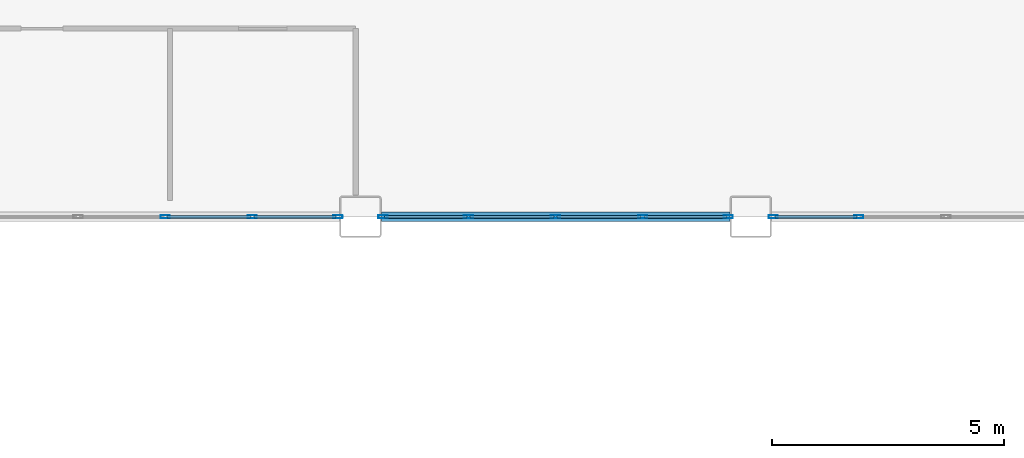
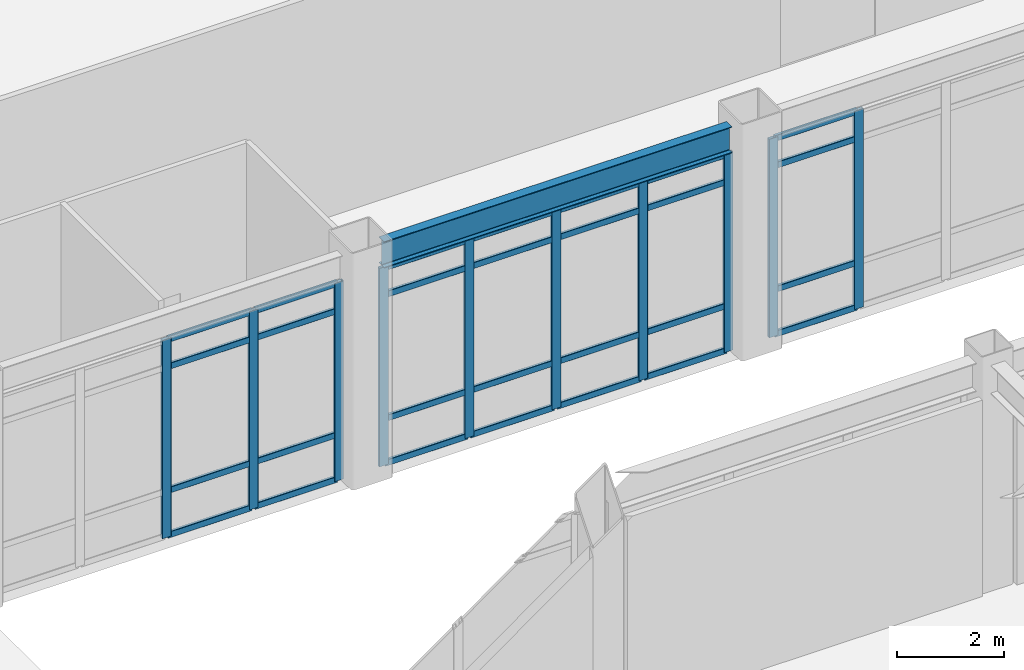
# One storey, part 31 of 165: 38 members, 1 beam, 3 elements without a shape of their own.
"""IFC4 building model written with IfcOpenShell, lengths in metres."""

from ifc_helpers import new_model, si_unit, direction, frame, origin, origin_2d, place, context, subcontext, project, spatial, hollow_rectangle, i_section, extrude, material, layer, layer_set, material_profile, profile_set, type_object, element, aggregate, save


model = new_model("IFC4")

# Units and contexts
model_context = context("Model", 3, precision=1e-05, world=origin(), true_north=direction((0.0, 1.0)))
body_context = subcontext(model_context, "Body", "Model", "MODEL_VIEW")
ifc_project = project(units=[si_unit("LENGTHUNIT", "METRE"), si_unit("AREAUNIT", "SQUARE_METRE"), si_unit("VOLUMEUNIT", "CUBIC_METRE"), si_unit("PLANEANGLEUNIT", "RADIAN"), si_unit("MASSUNIT", "GRAM", prefix="KILO")], contexts=[model_context])

# Site, building, storey
site_placement = place(None, origin())
site = spatial("IfcSite", under=ifc_project, at=site_placement, CompositionType="ELEMENT")
building_placement = place(site_placement, origin())
building = spatial("IfcBuilding", under=site, at=building_placement, Name="Kazehara Bluff Congress Hotel", CompositionType="ELEMENT")
storey_placement = place(building_placement, origin())
storey = spatial("IfcBuildingStorey", under=building, at=storey_placement, Name="L00", CompositionType="ELEMENT", Elevation=0.0)

# Curtain wall, members
ifc_material_1 = material(Name="Anodised aluminium", Category="aluminium")
ifc_layer = layer(ifc_material_1, 0.159912109375)
ifc_layer_set = layer_set([ifc_layer], Name="Anodised aluminium")
curtain_wall_type = type_object("IfcCurtainWallType", Name="TP-CW-16", PredefinedType="NOTDEFINED", material=ifc_layer_set)
curtain_wall_1_placement = place(storey_placement, origin())
curtain_wall_1 = element("IfcCurtainWall", 1, at=curtain_wall_1_placement, inside=storey, type_object=curtain_wall_type, Name="L00 curtain wall CW-16 CW-V1-L00-Y4845-2565", PredefinedType="NOTDEFINED")
ifc_material_2 = material(Name="Anodised aluminium", Category="aluminium")
ifc_material_profile_1 = material_profile(ifc_material_2, hollow_rectangle(XDim=0.070068359375, YDim=0.199951171875, WallThickness=0.0048828125, InnerFilletRadius=0.0048828125, OuterFilletRadius=0.010009765625, at=origin_2d()))
ifc_profile_set_1 = profile_set([ifc_material_profile_1], Name="Anodised aluminium")
member_type_1 = type_object("IfcMemberType", Name="TP-CWM-03", PredefinedType="MULLION", material=ifc_profile_set_1)
member_1_placement = place(storey_placement, frame((29.39990234375, 48.449951171875, 0.0), z_axis=(0.0, 0.0, 1.0), x_axis=(0.0, 1.0, 0.0)))
member_1 = element("IfcMember", 2, at=member_1_placement, type_object=member_type_1, Name="CW-16 mullion 3", PredefinedType="MULLION", context=body_context, shape_type="SweptSolid", body=[
    extrude(hollow_rectangle(XDim=0.070068359375, YDim=0.199951171875, WallThickness=0.0048828125, InnerFilletRadius=0.0048828125, OuterFilletRadius=0.010009765625, at=origin_2d()), origin(), (0.0, 0.0, 1.0), 4.52490234375),
])
member_2_placement = place(storey_placement, frame((31.27490234375, 48.449951171875, 0.0), z_axis=(0.0, 0.0, 1.0), x_axis=(0.0, 1.0, 0.0)))
member_2 = element("IfcMember", 3, at=member_2_placement, type_object=member_type_1, Name="CW-16 mullion 4", PredefinedType="MULLION", context=body_context, shape_type="SweptSolid", body=[
    extrude(hollow_rectangle(XDim=0.070068359375, YDim=0.199951171875, WallThickness=0.0048828125, InnerFilletRadius=0.0048828125, OuterFilletRadius=0.010009765625, at=origin_2d()), origin(), (0.0, 0.0, 1.0), 4.52490234375),
])
member_3_placement = place(storey_placement, frame((33.114990234375, 48.449951171875, 0.0), z_axis=(0.0, 0.0, 1.0), x_axis=(0.0, 1.0, 0.0)))
member_3 = element("IfcMember", 4, at=member_3_placement, type_object=member_type_1, Name="CW-16 mullion 5", PredefinedType="MULLION", context=body_context, shape_type="SweptSolid", body=[
    extrude(hollow_rectangle(XDim=0.070068359375, YDim=0.199951171875, WallThickness=0.0048828125, InnerFilletRadius=0.0048828125, OuterFilletRadius=0.010009765625, at=origin_2d()), origin(), (0.0, 0.0, 1.0), 4.52490234375),
])

curtain_wall_2_placement = place(storey_placement, origin())
curtain_wall_2 = element("IfcCurtainWall", 5, at=curtain_wall_2_placement, inside=storey, type_object=curtain_wall_type, Name="L00 curtain wall CW-16 CW-V1-L00-Y4845-3405", PredefinedType="NOTDEFINED")
member_4_placement = place(storey_placement, frame((34.0849609375, 48.449951171875, 0.0), z_axis=(0.0, 0.0, 1.0), x_axis=(0.0, 1.0, 0.0)))
member_4 = element("IfcMember", 6, at=member_4_placement, type_object=member_type_1, Name="CW-16 mullion 1", PredefinedType="MULLION", context=body_context, shape_type="SweptSolid", body=[
    extrude(hollow_rectangle(XDim=0.070068359375, YDim=0.199951171875, WallThickness=0.0048828125, InnerFilletRadius=0.0048828125, OuterFilletRadius=0.010009765625, at=origin_2d()), origin(), (0.0, 0.0, 1.0), 4.52490234375),
])
member_5_placement = place(storey_placement, frame((35.925048828125, 48.449951171875, 0.0), z_axis=(0.0, 0.0, 1.0), x_axis=(0.0, 1.0, 0.0)))
member_5 = element("IfcMember", 7, at=member_5_placement, type_object=member_type_1, Name="CW-16 mullion 2", PredefinedType="MULLION", context=body_context, shape_type="SweptSolid", body=[
    extrude(hollow_rectangle(XDim=0.070068359375, YDim=0.199951171875, WallThickness=0.0048828125, InnerFilletRadius=0.0048828125, OuterFilletRadius=0.010009765625, at=origin_2d()), origin(), (0.0, 0.0, 1.0), 4.52490234375),
])
member_6_placement = place(storey_placement, frame((37.800048828125, 48.449951171875, 0.0), z_axis=(0.0, 0.0, 1.0), x_axis=(0.0, 1.0, 0.0)))
member_6 = element("IfcMember", 8, at=member_6_placement, type_object=member_type_1, Name="CW-16 mullion 3", PredefinedType="MULLION", context=body_context, shape_type="SweptSolid", body=[
    extrude(hollow_rectangle(XDim=0.070068359375, YDim=0.199951171875, WallThickness=0.0048828125, InnerFilletRadius=0.0048828125, OuterFilletRadius=0.010009765625, at=origin_2d()), origin(), (0.0, 0.0, 1.0), 4.52490234375),
])
member_7_placement = place(storey_placement, frame((39.675048828125, 48.449951171875, 0.0), z_axis=(0.0, 0.0, 1.0), x_axis=(0.0, 1.0, 0.0)))
member_7 = element("IfcMember", 9, at=member_7_placement, type_object=member_type_1, Name="CW-16 mullion 4", PredefinedType="MULLION", context=body_context, shape_type="SweptSolid", body=[
    extrude(hollow_rectangle(XDim=0.070068359375, YDim=0.199951171875, WallThickness=0.0048828125, InnerFilletRadius=0.0048828125, OuterFilletRadius=0.010009765625, at=origin_2d()), origin(), (0.0, 0.0, 1.0), 4.52490234375),
])
member_8_placement = place(storey_placement, frame((41.514892578125, 48.449951171875, 0.0), z_axis=(0.0, 0.0, 1.0), x_axis=(0.0, 1.0, 0.0)))
member_8 = element("IfcMember", 10, at=member_8_placement, type_object=member_type_1, Name="CW-16 mullion 5", PredefinedType="MULLION", context=body_context, shape_type="SweptSolid", body=[
    extrude(hollow_rectangle(XDim=0.070068359375, YDim=0.199951171875, WallThickness=0.0048828125, InnerFilletRadius=0.0048828125, OuterFilletRadius=0.010009765625, at=origin_2d()), origin(), (0.0, 0.0, 1.0), 4.52490234375),
])

curtain_wall_3_placement = place(storey_placement, origin())
curtain_wall_3 = element("IfcCurtainWall", 11, at=curtain_wall_3_placement, inside=storey, type_object=curtain_wall_type, Name="L00 curtain wall CW-16 CW-V1-L00-Y4845-4245", PredefinedType="NOTDEFINED")
member_9_placement = place(storey_placement, frame((42.485107421875, 48.449951171875, 0.0), z_axis=(0.0, 0.0, 1.0), x_axis=(0.0, 1.0, 0.0)))
member_9 = element("IfcMember", 12, at=member_9_placement, type_object=member_type_1, Name="CW-16 mullion 1", PredefinedType="MULLION", context=body_context, shape_type="SweptSolid", body=[
    extrude(hollow_rectangle(XDim=0.070068359375, YDim=0.199951171875, WallThickness=0.0048828125, InnerFilletRadius=0.0048828125, OuterFilletRadius=0.010009765625, at=origin_2d()), origin(), (0.0, 0.0, 1.0), 4.52490234375),
])
member_10_placement = place(storey_placement, frame((44.324951171875, 48.449951171875, 0.0), z_axis=(0.0, 0.0, 1.0), x_axis=(0.0, 1.0, 0.0)))
member_10 = element("IfcMember", 13, at=member_10_placement, type_object=member_type_1, Name="CW-16 mullion 2", PredefinedType="MULLION", context=body_context, shape_type="SweptSolid", body=[
    extrude(hollow_rectangle(XDim=0.070068359375, YDim=0.199951171875, WallThickness=0.0048828125, InnerFilletRadius=0.0048828125, OuterFilletRadius=0.010009765625, at=origin_2d()), origin(), (0.0, 0.0, 1.0), 4.52490234375),
])

# Member
ifc_material_3 = material(Name="Anodised aluminium", Category="aluminium")
ifc_material_profile_2 = material_profile(ifc_material_3, hollow_rectangle(XDim=0.06494140625, YDim=0.139892578125, WallThickness=0.00390625, InnerFilletRadius=0.00390625, OuterFilletRadius=0.008056640625, at=origin_2d()))
ifc_profile_set_2 = profile_set([ifc_material_profile_2], Name="Anodised aluminium")
member_type_2 = type_object("IfcMemberType", Name="TP-CWT-02", PredefinedType="USERDEFINED", material=ifc_profile_set_2)
member_11_placement = place(storey_placement, frame((29.43505859375, 48.449951171875, 0.032470703125), z_axis=(1.0, 0.0, 0.0), x_axis=(0.0, 1.0, 0.0)))
member_11 = element("IfcMember", 14, at=member_11_placement, type_object=member_type_2, Name="CW-16 transom 3.1", ObjectType="TRANSOM", PredefinedType="USERDEFINED", context=body_context, shape_type="SweptSolid", body=[
    extrude(hollow_rectangle(XDim=0.06494140625, YDim=0.139892578125, WallThickness=0.00390625, InnerFilletRadius=0.00390625, OuterFilletRadius=0.008056640625, at=origin_2d()), origin(), (0.0, 0.0, 1.0), 1.804931640625),
])

member_12_placement = place(storey_placement, frame((29.43505859375, 48.449951171875, 1.050048828125), z_axis=(1.0, 0.0, 0.0), x_axis=(0.0, 1.0, 0.0)))
member_12 = element("IfcMember", 15, at=member_12_placement, type_object=member_type_2, Name="CW-16 transom 3.2", ObjectType="TRANSOM", PredefinedType="USERDEFINED", context=body_context, shape_type="SweptSolid", body=[
    extrude(hollow_rectangle(XDim=0.06494140625, YDim=0.139892578125, WallThickness=0.00390625, InnerFilletRadius=0.00390625, OuterFilletRadius=0.008056640625, at=origin_2d()), origin(), (0.0, 0.0, 1.0), 1.804931640625),
])

member_13_placement = place(storey_placement, frame((29.43505859375, 48.449951171875, 3.875), z_axis=(1.0, 0.0, 0.0), x_axis=(0.0, 1.0, 0.0)))
member_13 = element("IfcMember", 16, at=member_13_placement, type_object=member_type_2, Name="CW-16 transom 3.3", ObjectType="TRANSOM", PredefinedType="USERDEFINED", context=body_context, shape_type="SweptSolid", body=[
    extrude(hollow_rectangle(XDim=0.06494140625, YDim=0.139892578125, WallThickness=0.00390625, InnerFilletRadius=0.00390625, OuterFilletRadius=0.008056640625, at=origin_2d()), origin(), (0.0, 0.0, 1.0), 1.804931640625),
])

member_14_placement = place(storey_placement, frame((29.43505859375, 48.449951171875, 4.492431640625), z_axis=(1.0, 0.0, 0.0), x_axis=(0.0, 1.0, 0.0)))
member_14 = element("IfcMember", 17, at=member_14_placement, type_object=member_type_2, Name="CW-16 transom 3.4", ObjectType="TRANSOM", PredefinedType="USERDEFINED", context=body_context, shape_type="SweptSolid", body=[
    extrude(hollow_rectangle(XDim=0.06494140625, YDim=0.139892578125, WallThickness=0.00390625, InnerFilletRadius=0.00390625, OuterFilletRadius=0.008056640625, at=origin_2d()), origin(), (0.0, 0.0, 1.0), 1.804931640625),
])

member_15_placement = place(storey_placement, frame((31.31005859375, 48.449951171875, 0.032470703125), z_axis=(1.0, 0.0, 0.0), x_axis=(0.0, 1.0, 0.0)))
member_15 = element("IfcMember", 18, at=member_15_placement, type_object=member_type_2, Name="CW-16 transom 4.1", ObjectType="TRANSOM", PredefinedType="USERDEFINED", context=body_context, shape_type="SweptSolid", body=[
    extrude(hollow_rectangle(XDim=0.06494140625, YDim=0.139892578125, WallThickness=0.00390625, InnerFilletRadius=0.00390625, OuterFilletRadius=0.008056640625, at=origin_2d()), origin(), (0.0, 0.0, 1.0), 1.77001953125),
])

member_16_placement = place(storey_placement, frame((31.31005859375, 48.449951171875, 1.050048828125), z_axis=(1.0, 0.0, 0.0), x_axis=(0.0, 1.0, 0.0)))
member_16 = element("IfcMember", 19, at=member_16_placement, type_object=member_type_2, Name="CW-16 transom 4.2", ObjectType="TRANSOM", PredefinedType="USERDEFINED", context=body_context, shape_type="SweptSolid", body=[
    extrude(hollow_rectangle(XDim=0.06494140625, YDim=0.139892578125, WallThickness=0.00390625, InnerFilletRadius=0.00390625, OuterFilletRadius=0.008056640625, at=origin_2d()), origin(), (0.0, 0.0, 1.0), 1.77001953125),
])

member_17_placement = place(storey_placement, frame((31.31005859375, 48.449951171875, 3.875), z_axis=(1.0, 0.0, 0.0), x_axis=(0.0, 1.0, 0.0)))
member_17 = element("IfcMember", 20, at=member_17_placement, type_object=member_type_2, Name="CW-16 transom 4.3", ObjectType="TRANSOM", PredefinedType="USERDEFINED", context=body_context, shape_type="SweptSolid", body=[
    extrude(hollow_rectangle(XDim=0.06494140625, YDim=0.139892578125, WallThickness=0.00390625, InnerFilletRadius=0.00390625, OuterFilletRadius=0.008056640625, at=origin_2d()), origin(), (0.0, 0.0, 1.0), 1.77001953125),
])

member_18_placement = place(storey_placement, frame((31.31005859375, 48.449951171875, 4.492431640625), z_axis=(1.0, 0.0, 0.0), x_axis=(0.0, 1.0, 0.0)))
member_18 = element("IfcMember", 21, at=member_18_placement, type_object=member_type_2, Name="CW-16 transom 4.4", ObjectType="TRANSOM", PredefinedType="USERDEFINED", context=body_context, shape_type="SweptSolid", body=[
    extrude(hollow_rectangle(XDim=0.06494140625, YDim=0.139892578125, WallThickness=0.00390625, InnerFilletRadius=0.00390625, OuterFilletRadius=0.008056640625, at=origin_2d()), origin(), (0.0, 0.0, 1.0), 1.77001953125),
])

aggregate(curtain_wall_1, [member_1, member_2, member_3, member_11, member_12, member_13, member_14, member_15, member_16, member_17, member_18])

member_19_placement = place(storey_placement, frame((34.1201171875, 48.449951171875, 0.032470703125), z_axis=(1.0, 0.0, 0.0), x_axis=(0.0, 1.0, 0.0)))
member_19 = element("IfcMember", 22, at=member_19_placement, type_object=member_type_2, Name="CW-16 transom 1.1", ObjectType="TRANSOM", PredefinedType="USERDEFINED", context=body_context, shape_type="SweptSolid", body=[
    extrude(hollow_rectangle(XDim=0.06494140625, YDim=0.139892578125, WallThickness=0.00390625, InnerFilletRadius=0.00390625, OuterFilletRadius=0.008056640625, at=origin_2d()), origin(), (0.0, 0.0, 1.0), 1.769775390625),
])

member_20_placement = place(storey_placement, frame((34.1201171875, 48.449951171875, 1.050048828125), z_axis=(1.0, 0.0, 0.0), x_axis=(0.0, 1.0, 0.0)))
member_20 = element("IfcMember", 23, at=member_20_placement, type_object=member_type_2, Name="CW-16 transom 1.2", ObjectType="TRANSOM", PredefinedType="USERDEFINED", context=body_context, shape_type="SweptSolid", body=[
    extrude(hollow_rectangle(XDim=0.06494140625, YDim=0.139892578125, WallThickness=0.00390625, InnerFilletRadius=0.00390625, OuterFilletRadius=0.008056640625, at=origin_2d()), origin(), (0.0, 0.0, 1.0), 1.769775390625),
])

member_21_placement = place(storey_placement, frame((34.1201171875, 48.449951171875, 3.875), z_axis=(1.0, 0.0, 0.0), x_axis=(0.0, 1.0, 0.0)))
member_21 = element("IfcMember", 24, at=member_21_placement, type_object=member_type_2, Name="CW-16 transom 1.3", ObjectType="TRANSOM", PredefinedType="USERDEFINED", context=body_context, shape_type="SweptSolid", body=[
    extrude(hollow_rectangle(XDim=0.06494140625, YDim=0.139892578125, WallThickness=0.00390625, InnerFilletRadius=0.00390625, OuterFilletRadius=0.008056640625, at=origin_2d()), origin(), (0.0, 0.0, 1.0), 1.769775390625),
])

member_22_placement = place(storey_placement, frame((34.1201171875, 48.449951171875, 4.492431640625), z_axis=(1.0, 0.0, 0.0), x_axis=(0.0, 1.0, 0.0)))
member_22 = element("IfcMember", 25, at=member_22_placement, type_object=member_type_2, Name="CW-16 transom 1.4", ObjectType="TRANSOM", PredefinedType="USERDEFINED", context=body_context, shape_type="SweptSolid", body=[
    extrude(hollow_rectangle(XDim=0.06494140625, YDim=0.139892578125, WallThickness=0.00390625, InnerFilletRadius=0.00390625, OuterFilletRadius=0.008056640625, at=origin_2d()), origin(), (0.0, 0.0, 1.0), 1.769775390625),
])

member_23_placement = place(storey_placement, frame((35.9599609375, 48.449951171875, 0.032470703125), z_axis=(1.0, 0.0, 0.0), x_axis=(0.0, 1.0, 0.0)))
member_23 = element("IfcMember", 26, at=member_23_placement, type_object=member_type_2, Name="CW-16 transom 2.1", ObjectType="TRANSOM", PredefinedType="USERDEFINED", context=body_context, shape_type="SweptSolid", body=[
    extrude(hollow_rectangle(XDim=0.06494140625, YDim=0.139892578125, WallThickness=0.00390625, InnerFilletRadius=0.00390625, OuterFilletRadius=0.008056640625, at=origin_2d()), origin(), (0.0, 0.0, 1.0), 1.804931640625),
])

member_24_placement = place(storey_placement, frame((35.9599609375, 48.449951171875, 1.050048828125), z_axis=(1.0, 0.0, 0.0), x_axis=(0.0, 1.0, 0.0)))
member_24 = element("IfcMember", 27, at=member_24_placement, type_object=member_type_2, Name="CW-16 transom 2.2", ObjectType="TRANSOM", PredefinedType="USERDEFINED", context=body_context, shape_type="SweptSolid", body=[
    extrude(hollow_rectangle(XDim=0.06494140625, YDim=0.139892578125, WallThickness=0.00390625, InnerFilletRadius=0.00390625, OuterFilletRadius=0.008056640625, at=origin_2d()), origin(), (0.0, 0.0, 1.0), 1.804931640625),
])

member_25_placement = place(storey_placement, frame((35.9599609375, 48.449951171875, 3.875), z_axis=(1.0, 0.0, 0.0), x_axis=(0.0, 1.0, 0.0)))
member_25 = element("IfcMember", 28, at=member_25_placement, type_object=member_type_2, Name="CW-16 transom 2.3", ObjectType="TRANSOM", PredefinedType="USERDEFINED", context=body_context, shape_type="SweptSolid", body=[
    extrude(hollow_rectangle(XDim=0.06494140625, YDim=0.139892578125, WallThickness=0.00390625, InnerFilletRadius=0.00390625, OuterFilletRadius=0.008056640625, at=origin_2d()), origin(), (0.0, 0.0, 1.0), 1.804931640625),
])

member_26_placement = place(storey_placement, frame((35.9599609375, 48.449951171875, 4.492431640625), z_axis=(1.0, 0.0, 0.0), x_axis=(0.0, 1.0, 0.0)))
member_26 = element("IfcMember", 29, at=member_26_placement, type_object=member_type_2, Name="CW-16 transom 2.4", ObjectType="TRANSOM", PredefinedType="USERDEFINED", context=body_context, shape_type="SweptSolid", body=[
    extrude(hollow_rectangle(XDim=0.06494140625, YDim=0.139892578125, WallThickness=0.00390625, InnerFilletRadius=0.00390625, OuterFilletRadius=0.008056640625, at=origin_2d()), origin(), (0.0, 0.0, 1.0), 1.804931640625),
])

member_27_placement = place(storey_placement, frame((37.8349609375, 48.449951171875, 0.032470703125), z_axis=(1.0, 0.0, 0.0), x_axis=(0.0, 1.0, 0.0)))
member_27 = element("IfcMember", 30, at=member_27_placement, type_object=member_type_2, Name="CW-16 transom 3.1", ObjectType="TRANSOM", PredefinedType="USERDEFINED", context=body_context, shape_type="SweptSolid", body=[
    extrude(hollow_rectangle(XDim=0.06494140625, YDim=0.139892578125, WallThickness=0.00390625, InnerFilletRadius=0.00390625, OuterFilletRadius=0.008056640625, at=origin_2d()), origin(), (0.0, 0.0, 1.0), 1.804931640625),
])

member_28_placement = place(storey_placement, frame((37.8349609375, 48.449951171875, 1.050048828125), z_axis=(1.0, 0.0, 0.0), x_axis=(0.0, 1.0, 0.0)))
member_28 = element("IfcMember", 31, at=member_28_placement, type_object=member_type_2, Name="CW-16 transom 3.2", ObjectType="TRANSOM", PredefinedType="USERDEFINED", context=body_context, shape_type="SweptSolid", body=[
    extrude(hollow_rectangle(XDim=0.06494140625, YDim=0.139892578125, WallThickness=0.00390625, InnerFilletRadius=0.00390625, OuterFilletRadius=0.008056640625, at=origin_2d()), origin(), (0.0, 0.0, 1.0), 1.804931640625),
])

member_29_placement = place(storey_placement, frame((37.8349609375, 48.449951171875, 3.875), z_axis=(1.0, 0.0, 0.0), x_axis=(0.0, 1.0, 0.0)))
member_29 = element("IfcMember", 32, at=member_29_placement, type_object=member_type_2, Name="CW-16 transom 3.3", ObjectType="TRANSOM", PredefinedType="USERDEFINED", context=body_context, shape_type="SweptSolid", body=[
    extrude(hollow_rectangle(XDim=0.06494140625, YDim=0.139892578125, WallThickness=0.00390625, InnerFilletRadius=0.00390625, OuterFilletRadius=0.008056640625, at=origin_2d()), origin(), (0.0, 0.0, 1.0), 1.804931640625),
])

member_30_placement = place(storey_placement, frame((37.8349609375, 48.449951171875, 4.492431640625), z_axis=(1.0, 0.0, 0.0), x_axis=(0.0, 1.0, 0.0)))
member_30 = element("IfcMember", 33, at=member_30_placement, type_object=member_type_2, Name="CW-16 transom 3.4", ObjectType="TRANSOM", PredefinedType="USERDEFINED", context=body_context, shape_type="SweptSolid", body=[
    extrude(hollow_rectangle(XDim=0.06494140625, YDim=0.139892578125, WallThickness=0.00390625, InnerFilletRadius=0.00390625, OuterFilletRadius=0.008056640625, at=origin_2d()), origin(), (0.0, 0.0, 1.0), 1.804931640625),
])

member_31_placement = place(storey_placement, frame((39.7099609375, 48.449951171875, 0.032470703125), z_axis=(1.0, 0.0, 0.0), x_axis=(0.0, 1.0, 0.0)))
member_31 = element("IfcMember", 34, at=member_31_placement, type_object=member_type_2, Name="CW-16 transom 4.1", ObjectType="TRANSOM", PredefinedType="USERDEFINED", context=body_context, shape_type="SweptSolid", body=[
    extrude(hollow_rectangle(XDim=0.06494140625, YDim=0.139892578125, WallThickness=0.00390625, InnerFilletRadius=0.00390625, OuterFilletRadius=0.008056640625, at=origin_2d()), origin(), (0.0, 0.0, 1.0), 1.77001953125),
])

member_32_placement = place(storey_placement, frame((39.7099609375, 48.449951171875, 1.050048828125), z_axis=(1.0, 0.0, 0.0), x_axis=(0.0, 1.0, 0.0)))
member_32 = element("IfcMember", 35, at=member_32_placement, type_object=member_type_2, Name="CW-16 transom 4.2", ObjectType="TRANSOM", PredefinedType="USERDEFINED", context=body_context, shape_type="SweptSolid", body=[
    extrude(hollow_rectangle(XDim=0.06494140625, YDim=0.139892578125, WallThickness=0.00390625, InnerFilletRadius=0.00390625, OuterFilletRadius=0.008056640625, at=origin_2d()), origin(), (0.0, 0.0, 1.0), 1.77001953125),
])

member_33_placement = place(storey_placement, frame((39.7099609375, 48.449951171875, 3.875), z_axis=(1.0, 0.0, 0.0), x_axis=(0.0, 1.0, 0.0)))
member_33 = element("IfcMember", 36, at=member_33_placement, type_object=member_type_2, Name="CW-16 transom 4.3", ObjectType="TRANSOM", PredefinedType="USERDEFINED", context=body_context, shape_type="SweptSolid", body=[
    extrude(hollow_rectangle(XDim=0.06494140625, YDim=0.139892578125, WallThickness=0.00390625, InnerFilletRadius=0.00390625, OuterFilletRadius=0.008056640625, at=origin_2d()), origin(), (0.0, 0.0, 1.0), 1.77001953125),
])

member_34_placement = place(storey_placement, frame((39.7099609375, 48.449951171875, 4.492431640625), z_axis=(1.0, 0.0, 0.0), x_axis=(0.0, 1.0, 0.0)))
member_34 = element("IfcMember", 37, at=member_34_placement, type_object=member_type_2, Name="CW-16 transom 4.4", ObjectType="TRANSOM", PredefinedType="USERDEFINED", context=body_context, shape_type="SweptSolid", body=[
    extrude(hollow_rectangle(XDim=0.06494140625, YDim=0.139892578125, WallThickness=0.00390625, InnerFilletRadius=0.00390625, OuterFilletRadius=0.008056640625, at=origin_2d()), origin(), (0.0, 0.0, 1.0), 1.77001953125),
])

aggregate(curtain_wall_2, [member_4, member_5, member_6, member_7, member_8, member_19, member_20, member_21, member_22, member_23, member_24, member_25, member_26, member_27, member_28, member_29, member_30, member_31, member_32, member_33, member_34])

member_35_placement = place(storey_placement, frame((42.52001953125, 48.449951171875, 0.032470703125), z_axis=(1.0, 0.0, 0.0), x_axis=(0.0, 1.0, 0.0)))
member_35 = element("IfcMember", 38, at=member_35_placement, type_object=member_type_2, Name="CW-16 transom 1.1", ObjectType="TRANSOM", PredefinedType="USERDEFINED", context=body_context, shape_type="SweptSolid", body=[
    extrude(hollow_rectangle(XDim=0.06494140625, YDim=0.139892578125, WallThickness=0.00390625, InnerFilletRadius=0.00390625, OuterFilletRadius=0.008056640625, at=origin_2d()), origin(), (0.0, 0.0, 1.0), 1.77001953125),
])

member_36_placement = place(storey_placement, frame((42.52001953125, 48.449951171875, 1.050048828125), z_axis=(1.0, 0.0, 0.0), x_axis=(0.0, 1.0, 0.0)))
member_36 = element("IfcMember", 39, at=member_36_placement, type_object=member_type_2, Name="CW-16 transom 1.2", ObjectType="TRANSOM", PredefinedType="USERDEFINED", context=body_context, shape_type="SweptSolid", body=[
    extrude(hollow_rectangle(XDim=0.06494140625, YDim=0.139892578125, WallThickness=0.00390625, InnerFilletRadius=0.00390625, OuterFilletRadius=0.008056640625, at=origin_2d()), origin(), (0.0, 0.0, 1.0), 1.77001953125),
])

member_37_placement = place(storey_placement, frame((42.52001953125, 48.449951171875, 3.875), z_axis=(1.0, 0.0, 0.0), x_axis=(0.0, 1.0, 0.0)))
member_37 = element("IfcMember", 40, at=member_37_placement, type_object=member_type_2, Name="CW-16 transom 1.3", ObjectType="TRANSOM", PredefinedType="USERDEFINED", context=body_context, shape_type="SweptSolid", body=[
    extrude(hollow_rectangle(XDim=0.06494140625, YDim=0.139892578125, WallThickness=0.00390625, InnerFilletRadius=0.00390625, OuterFilletRadius=0.008056640625, at=origin_2d()), origin(), (0.0, 0.0, 1.0), 1.77001953125),
])

member_38_placement = place(storey_placement, frame((42.52001953125, 48.449951171875, 4.492431640625), z_axis=(1.0, 0.0, 0.0), x_axis=(0.0, 1.0, 0.0)))
member_38 = element("IfcMember", 41, at=member_38_placement, type_object=member_type_2, Name="CW-16 transom 1.4", ObjectType="TRANSOM", PredefinedType="USERDEFINED", context=body_context, shape_type="SweptSolid", body=[
    extrude(hollow_rectangle(XDim=0.06494140625, YDim=0.139892578125, WallThickness=0.00390625, InnerFilletRadius=0.00390625, OuterFilletRadius=0.008056640625, at=origin_2d()), origin(), (0.0, 0.0, 1.0), 1.77001953125),
])

aggregate(curtain_wall_3, [member_9, member_10, member_35, member_36, member_37, member_38])

# Beam
ifc_material_4 = material(Name="Steel SN490B", Category="steel")
ifc_material_profile_3 = material_profile(ifc_material_4, i_section(OverallWidth=0.199951171875, OverallDepth=0.60009765625, WebThickness=0.010986328125, FlangeThickness=0.01708984375, FilletRadius=0.012939453125, at=origin_2d()))
ifc_profile_set_3 = profile_set([ifc_material_profile_3], Name="Steel SN490B")
beam_type = type_object("IfcBeamType", Name="TP-SP-02", PredefinedType="SPANDREL", material=ifc_profile_set_3)
beam_placement = place(storey_placement, frame((34.050048828125, 48.449951171875, 4.85009765625), z_axis=(1.0, 0.0, 0.0), x_axis=(0.0, 1.0, 0.0)))
element("IfcBeam", 42, at=beam_placement, inside=storey, type_object=beam_type, Name="L00 girder SP-02 28", PredefinedType="SPANDREL", context=body_context, shape_type="SweptSolid", body=[
    extrude(i_section(OverallWidth=0.199951171875, OverallDepth=0.60009765625, WebThickness=0.010986328125, FlangeThickness=0.01708984375, FilletRadius=0.012939453125, at=origin_2d()), origin(), (0.0, 0.0, 1.0), 7.5),
])

save(model, "model.ifc")
